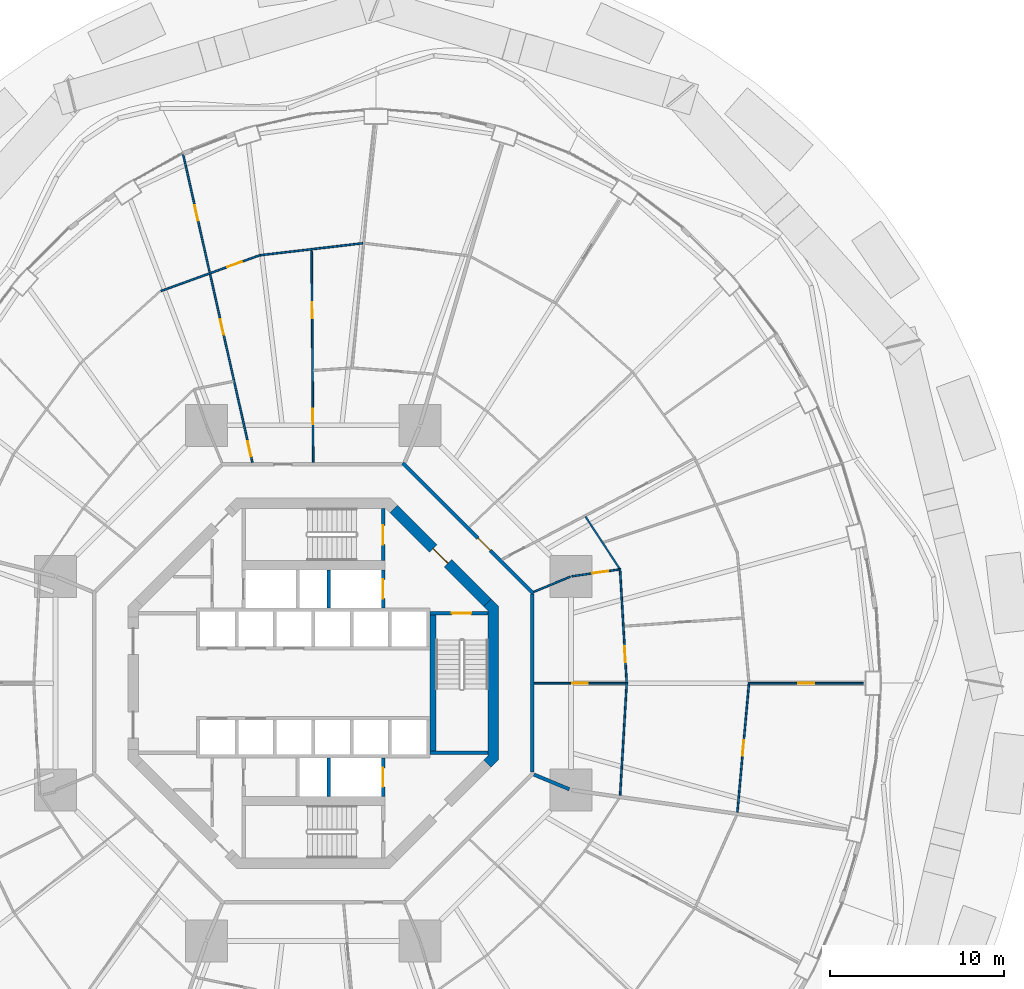
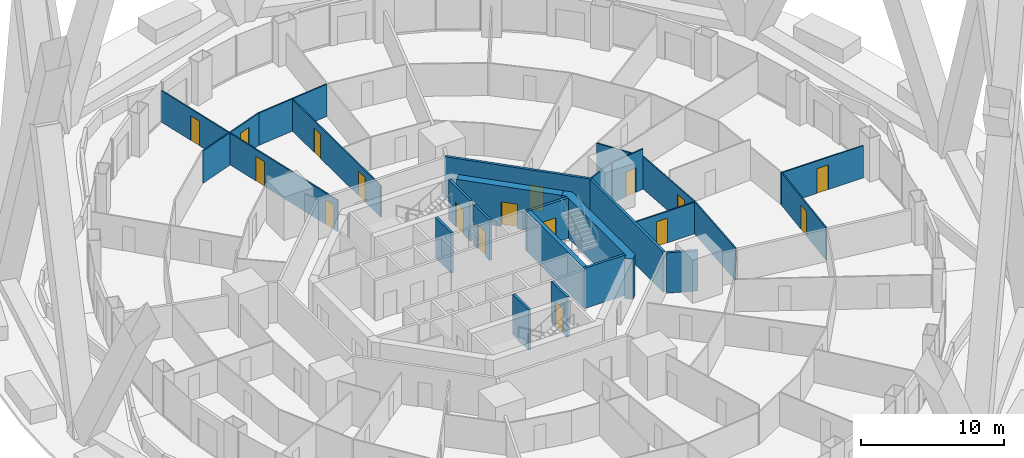
# One storey, part 38 of 42: 25 walls, 17 doors, 17 openings.
"""IFC4 building model written with IfcOpenShell, lengths in metres."""

from ifc_helpers import new_model, si_unit, direction, frame, frame_2d, origin, place, context, subcontext, project, spatial, polyline, rectangle, outline, extrude, material, layer, layer_set, type_object, element, fill, save


model = new_model("IFC4")

# Units and contexts
model_context = context("Model", 3, precision=1e-05, world=origin(), true_north=direction((0.0, 1.0)))
body_context = subcontext(model_context, "Body", "Model", "MODEL_VIEW")
ifc_project = project(units=[si_unit("LENGTHUNIT", "METRE"), si_unit("AREAUNIT", "SQUARE_METRE"), si_unit("VOLUMEUNIT", "CUBIC_METRE"), si_unit("PLANEANGLEUNIT", "RADIAN"), si_unit("MASSUNIT", "GRAM", prefix="KILO")], contexts=[model_context])

# Site, building, storey
site_placement = place(None, origin())
site = spatial("IfcSite", under=ifc_project, at=site_placement, CompositionType="ELEMENT")
building_placement = place(site_placement, origin())
building = spatial("IfcBuilding", under=site, at=building_placement, Name="Nagisa Residences", CompositionType="ELEMENT")
storey_placement = place(building_placement, frame((0.0, 0.0, 27.0)))
storey = spatial("IfcBuildingStorey", under=building, at=storey_placement, Name="L05", CompositionType="ELEMENT", Elevation=27.0)

# Walls
ifc_material_1 = material(Name="Gypsum board on steel studs", Category="steel")
ifc_layer_1 = layer(ifc_material_1, 0.199951171875)
ifc_layer_set_1 = layer_set([ifc_layer_1], Name="Apartment compartment wall EI60 200")
wall_type_1 = type_object("IfcWallType", Name="Apartment compartment wall EI60 200", PredefinedType="PARTITIONING", material=ifc_layer_set_1)
wall_1_placement = place(storey_placement, frame((12.6572265625, -5.24267578125, 0.0), z_axis=(0.0, 0.0, 1.0), x_axis=(0.923853160736, -0.382747093259, 0.0)))
element("IfcWall", 1, at=wall_1_placement, inside=storey, type_object=wall_type_1, Name="wall:L05:u06", PredefinedType="PARTITIONING", context=body_context, shape_type="SweptSolid", body=[
    extrude(rectangle(XDim=2.199951171875, YDim=0.199951171875, at=frame_2d((1.10009765625, 0.0))), origin(), (0.0, 0.0, 1.0), 3.43994140625),
])
ifc_material_2 = material(Name="Gypsum board on steel studs", Category="steel")
ifc_layer_2 = layer(ifc_material_2, 0.199951171875)
ifc_layer_set_2 = layer_set([ifc_layer_2], Name="Apartment entry wall EI60 200")
wall_type_2 = type_object("IfcWallType", Name="Apartment entry wall EI60 200", PredefinedType="PARTITIONING", material=ifc_layer_set_2)
wall_2_placement = place(storey_placement, frame((12.564697265625, -5.1044921875, 0.0), z_axis=(0.0, 0.0, 1.0), x_axis=(0.0, 1.0, 0.0)))
element("IfcWall", 2, at=wall_2_placement, inside=storey, type_object=wall_type_2, Name="wall:L05:u08", PredefinedType="PARTITIONING", context=body_context, shape_type="SweptSolid", body=[
    extrude(rectangle(XDim=10.208984375, YDim=0.199951171875, at=frame_2d((5.1044921875, 0.0))), origin(), (0.0, 0.0, 1.0), 3.43994140625),
])

# Wall, opening, door
wall_3_placement = place(storey_placement, frame((12.635498046875, 5.1337890625, 0.0), z_axis=(0.0, 0.0, 1.0), x_axis=(-0.707106781187, 0.707106781187, 0.0)))
wall_3 = element("IfcWall", 3, at=wall_3_placement, inside=storey, type_object=wall_type_2, Name="wall:L05:u09", PredefinedType="PARTITIONING", context=body_context, shape_type="SweptSolid", body=[
    extrude(rectangle(XDim=10.609130859375, YDim=0.199951171875, at=frame_2d((5.3046875, 0.0))), origin(), (0.0, 0.0, 1.0), 3.43994140625),
])
opening_1_placement = place(wall_3_placement, frame((3.50341796875, 0.0, 0.0)))
opening_1 = element("IfcOpeningElement", 4, at=opening_1_placement, cuts=wall_3, Name="Opening L05-U01", PredefinedType="OPENING", context=body_context, shape_type="SweptSolid", body=[
    extrude(rectangle(XDim=1.0, YDim=2.10009765625, at=frame_2d((0.5, 1.050048828125))), frame((0.0, 0.10986328125, 0.0), z_axis=(0.0, -1.0, 0.0), x_axis=(1.0, 0.0, 0.0)), (0.0, 0.0, 1.0), 0.219970703125),
])
ifc_material_3 = material(Name="Timber fire door set", Category="wood")
door_type_1 = type_object("IfcDoorType", Name="Apartment entry door FD30S 1000x2100", OperationType="NOTDEFINED", PredefinedType="DOOR", material=ifc_material_3)
door_1_placement = place(opening_1_placement, frame((1.0, 0.0, 0.0), x_axis=(-1.0, 0.0, 0.0)))
door_1 = element("IfcDoor", 5, at=door_1_placement, inside=storey, type_object=door_type_1, Name="Entry door, Apartment 05A", OperationType="SINGLE_SWING_RIGHT", OverallHeight=2.10009765625, OverallWidth=1.0, PredefinedType="DOOR", context=body_context, shape_type="SweptSolid", body=[
    extrude(rectangle(XDim=1.0, YDim=2.10009765625, at=frame_2d((0.5, 1.050048828125))), frame((0.0, 0.02490234375, 0.0), z_axis=(0.0, -1.0, 0.0), x_axis=(1.0, 0.0, 0.0)), (0.0, 0.0, 1.0), 0.050048828125),
])
fill(opening_1, door_1)

ifc_material_4 = material(Name="Gypsum board on steel studs", Category="steel")
ifc_layer_3 = layer(ifc_material_4, 0.10009765625)
ifc_layer_set_3 = layer_set([ifc_layer_3], Name="Apartment partition 100")
wall_type_3 = type_object("IfcWallType", Name="Apartment partition 100", PredefinedType="PARTITIONING", material=ifc_layer_set_3)
wall_4_placement = place(storey_placement, frame((12.664794921875, 0.0, 0.0), z_axis=(0.0, 0.0, 1.0), x_axis=(1.0, 0.0, 0.0)))
wall_4 = element("IfcWall", 6, at=wall_4_placement, inside=storey, type_object=wall_type_3, Name="wall:L05:u16", PredefinedType="PARTITIONING", context=body_context, shape_type="SweptSolid", body=[
    extrude(rectangle(XDim=5.259521484375, YDim=0.10009765625, at=frame_2d((2.6298828125, 0.0))), origin(), (0.0, 0.0, 1.0), 2.68701171875),
])
opening_2_placement = place(wall_4_placement, frame((2.1796875, 0.0, 0.0)))
opening_2 = element("IfcOpeningElement", 7, at=opening_2_placement, cuts=wall_4, Name="Opening L05-U14", PredefinedType="OPENING", context=body_context, shape_type="SweptSolid", body=[
    extrude(rectangle(XDim=0.89990234375, YDim=2.10009765625, at=frame_2d((0.449951171875, 1.050048828125))), frame((0.0, 0.06005859375, 0.0), z_axis=(0.0, -1.0, 0.0), x_axis=(1.0, 0.0, 0.0)), (0.0, 0.0, 1.0), 0.1201171875),
])
ifc_material_5 = material(Name="Timber door set", Category="wood")
door_type_2 = type_object("IfcDoorType", Name="Apartment door 900x2100", OperationType="NOTDEFINED", PredefinedType="DOOR", material=ifc_material_5)
door_2_placement = place(opening_2_placement, frame((0.89990234375, 0.0, 0.0), x_axis=(-1.0, 0.0, 0.0)))
door_2 = element("IfcDoor", 8, at=door_2_placement, inside=storey, type_object=door_type_2, Name="Door to store, Apartment 05A", OperationType="SINGLE_SWING_LEFT", OverallHeight=2.10009765625, OverallWidth=0.89990234375, PredefinedType="DOOR", context=body_context, shape_type="SweptSolid", body=[
    extrude(rectangle(XDim=0.89990234375, YDim=2.10009765625, at=frame_2d((0.449951171875, 1.050048828125))), frame((0.0, 0.02490234375, 0.0), z_axis=(0.0, -1.0, 0.0), x_axis=(1.0, 0.0, 0.0)), (0.0, 0.0, 1.0), 0.050048828125),
])
fill(opening_2, door_2)

wall_5_placement = place(storey_placement, frame((17.971435546875, 0.0498046875, 0.0), z_axis=(0.0, 0.0, 1.0), x_axis=(-0.058476853647, 0.998288764631, 0.0)))
wall_5 = element("IfcWall", 9, at=wall_5_placement, inside=storey, type_object=wall_type_3, Name="wall:L05:u17", PredefinedType="PARTITIONING", context=body_context, shape_type="SweptSolid", body=[
    extrude(rectangle(XDim=6.5380859375, YDim=0.10009765625, at=frame_2d((3.26904296875, 0.0))), origin(), (0.0, 0.0, 1.0), 2.756103515625),
])
opening_3_placement = place(wall_5_placement, frame((1.159423828125, 0.0, 0.0)))
opening_3 = element("IfcOpeningElement", 10, at=opening_3_placement, cuts=wall_5, Name="Opening L05-U10", PredefinedType="OPENING", context=body_context, shape_type="SweptSolid", body=[
    extrude(rectangle(XDim=0.89990234375, YDim=2.10009765625, at=frame_2d((0.449951171875, 1.050048828125))), frame((0.0, 0.06005859375, 0.0), z_axis=(0.0, -1.0, 0.0), x_axis=(1.0, 0.0, 0.0)), (0.0, 0.0, 1.0), 0.1201171875),
])
door_3_placement = place(opening_3_placement, frame((0.89990234375, 0.0, 0.0), x_axis=(-1.0, 0.0, 0.0)))
door_3 = element("IfcDoor", 11, at=door_3_placement, inside=storey, type_object=door_type_2, Name="Door to dining room, Apartment 05A", OperationType="SINGLE_SWING_LEFT", OverallHeight=2.10009765625, OverallWidth=0.89990234375, PredefinedType="DOOR", context=body_context, shape_type="SweptSolid", body=[
    extrude(rectangle(XDim=0.89990234375, YDim=2.10009765625, at=frame_2d((0.449951171875, 1.050048828125))), frame((0.0, 0.02490234375, 0.0), z_axis=(0.0, -1.0, 0.0), x_axis=(1.0, 0.0, 0.0)), (0.0, 0.0, 1.0), 0.050048828125),
])
fill(opening_3, door_3)

# Wall
wall_6_placement = place(storey_placement, frame((17.977294921875, 0.0498046875, 0.0), z_axis=(0.0, 0.0, 1.0), x_axis=(-0.058516864568, -0.998286420103, 0.0)))
element("IfcWall", 12, at=wall_6_placement, inside=storey, type_object=wall_type_3, Name="wall:L05:u18", PredefinedType="PARTITIONING", context=body_context, shape_type="SweptSolid", body=[
    extrude(rectangle(XDim=6.48779296875, YDim=0.10009765625, at=frame_2d((3.243896484375, 0.0))), origin(), (0.0, 0.0, 1.0), 2.756103515625),
])

# Wall, opening, door
wall_7_placement = place(storey_placement, frame((24.9365234375, 0.0, 0.0), z_axis=(0.0, 0.0, 1.0), x_axis=(1.0, 0.0, 0.0)))
wall_7 = element("IfcWall", 13, at=wall_7_placement, inside=storey, type_object=wall_type_3, Name="wall:L05:u19", PredefinedType="PARTITIONING", context=body_context, shape_type="SweptSolid", body=[
    extrude(rectangle(XDim=6.613525390625, YDim=0.10009765625, at=frame_2d((3.306640625, 0.0))), origin(), (0.0, 0.0, 1.0), 2.756103515625),
])
opening_4_placement = place(wall_7_placement, frame((2.881591796875, 0.0, 0.0)))
opening_4 = element("IfcOpeningElement", 14, at=opening_4_placement, cuts=wall_7, Name="Opening L05-U13", PredefinedType="OPENING", context=body_context, shape_type="SweptSolid", body=[
    extrude(rectangle(XDim=0.89990234375, YDim=2.10009765625, at=frame_2d((0.449951171875, 1.050048828125))), frame((0.0, 0.06005859375, 0.0), z_axis=(0.0, -1.0, 0.0), x_axis=(1.0, 0.0, 0.0)), (0.0, 0.0, 1.0), 0.1201171875),
])
door_4_placement = place(opening_4_placement, origin())
door_4 = element("IfcDoor", 15, at=door_4_placement, inside=storey, type_object=door_type_2, Name="Door to family room, Apartment 05A", OperationType="SINGLE_SWING_LEFT", OverallHeight=2.10009765625, OverallWidth=0.89990234375, PredefinedType="DOOR", context=body_context, shape_type="SweptSolid", body=[
    extrude(rectangle(XDim=0.89990234375, YDim=2.10009765625, at=frame_2d((0.449951171875, 1.050048828125))), frame((0.0, 0.02490234375, 0.0), z_axis=(0.0, -1.0, 0.0), x_axis=(1.0, 0.0, 0.0)), (0.0, 0.0, 1.0), 0.050048828125),
])
fill(opening_4, door_4)

wall_8_placement = place(storey_placement, frame((24.982177734375, -0.0498046875, 0.0), z_axis=(0.0, 0.0, 1.0), x_axis=(-0.08944290521, -0.995991951126, 0.0)))
wall_8 = element("IfcWall", 16, at=wall_8_placement, inside=storey, type_object=wall_type_3, Name="wall:L05:u21", PredefinedType="PARTITIONING", context=body_context, shape_type="SweptSolid", body=[
    extrude(rectangle(XDim=7.37255859375, YDim=0.10009765625, at=frame_2d((3.686279296875, 0.0))), origin(), (0.0, 0.0, 1.0), 2.756103515625),
])
opening_5_placement = place(wall_8_placement, frame((3.236328125, 0.0, 0.0)))
opening_5 = element("IfcOpeningElement", 17, at=opening_5_placement, cuts=wall_8, Name="Opening L05-U12", PredefinedType="OPENING", context=body_context, shape_type="SweptSolid", body=[
    extrude(rectangle(XDim=0.89990234375, YDim=2.10009765625, at=frame_2d((0.449951171875, 1.050048828125))), frame((0.0, 0.06005859375, 0.0), z_axis=(0.0, -1.0, 0.0), x_axis=(1.0, 0.0, 0.0)), (0.0, 0.0, 1.0), 0.1201171875),
])
door_5_placement = place(opening_5_placement, origin())
door_5 = element("IfcDoor", 18, at=door_5_placement, inside=storey, type_object=door_type_2, Name="Door to living room, Apartment 05A", OperationType="SINGLE_SWING_RIGHT", OverallHeight=2.10009765625, OverallWidth=0.89990234375, PredefinedType="DOOR", context=body_context, shape_type="SweptSolid", body=[
    extrude(rectangle(XDim=0.89990234375, YDim=2.10009765625, at=frame_2d((0.449951171875, 1.050048828125))), frame((0.0, 0.02490234375, 0.0), z_axis=(0.0, -1.0, 0.0), x_axis=(1.0, 0.0, 0.0)), (0.0, 0.0, 1.0), 0.050048828125),
])
fill(opening_5, door_5)

# Wall
wall_9_placement = place(storey_placement, frame((12.6572265625, 5.24267578125, 0.0), z_axis=(0.0, 0.0, 1.0), x_axis=(0.923864733477, 0.382719158442, 0.0)))
element("IfcWall", 19, at=wall_9_placement, inside=storey, type_object=wall_type_3, Name="wall:L05:u23", PredefinedType="PARTITIONING", context=body_context, shape_type="SweptSolid", body=[
    extrude(rectangle(XDim=2.25, YDim=0.10009765625, at=frame_2d((1.125, 0.0))), origin(), (0.0, 0.0, 1.0), 3.43994140625),
])

# Wall, opening, door
wall_10_placement = place(storey_placement, frame((14.83154296875, 6.130126953125, 0.0), z_axis=(0.0, 0.0, 1.0), x_axis=(0.989840446863, 0.142182593007, 0.0)))
wall_10 = element("IfcWall", 20, at=wall_10_placement, inside=storey, type_object=wall_type_3, Name="wall:L05:u24", PredefinedType="PARTITIONING", context=body_context, shape_type="SweptSolid", body=[
    extrude(rectangle(XDim=2.73876953125, YDim=0.10009765625, at=frame_2d((1.369384765625, 0.0))), origin(), (0.0, 0.0, 1.0), 3.43994140625),
])
opening_6_placement = place(wall_10_placement, frame((1.197021484375, 0.0, 0.0)))
opening_6 = element("IfcOpeningElement", 21, at=opening_6_placement, cuts=wall_10, Name="Opening L05-U09", PredefinedType="OPENING", context=body_context, shape_type="SweptSolid", body=[
    extrude(rectangle(XDim=0.89990234375, YDim=2.10009765625, at=frame_2d((0.449951171875, 1.050048828125))), frame((0.0, 0.06005859375, 0.0), z_axis=(0.0, -1.0, 0.0), x_axis=(1.0, 0.0, 0.0)), (0.0, 0.0, 1.0), 0.1201171875),
])
door_6_placement = place(opening_6_placement, frame((0.89990234375, 0.0, 0.0), x_axis=(-1.0, 0.0, 0.0)))
door_6 = element("IfcDoor", 22, at=door_6_placement, inside=storey, type_object=door_type_2, Name="Door to laundry, Apartment 05A", OperationType="SINGLE_SWING_RIGHT", OverallHeight=2.10009765625, OverallWidth=0.89990234375, PredefinedType="DOOR", context=body_context, shape_type="SweptSolid", body=[
    extrude(rectangle(XDim=0.89990234375, YDim=2.10009765625, at=frame_2d((0.449951171875, 1.050048828125))), frame((0.0, 0.02490234375, 0.0), z_axis=(0.0, -1.0, 0.0), x_axis=(1.0, 0.0, 0.0)), (0.0, 0.0, 1.0), 0.050048828125),
])
fill(opening_6, door_6)

# Walls
wall_11_placement = place(storey_placement, frame((17.564453125, 6.568603515625, 0.0), z_axis=(0.0, 0.0, 1.0), x_axis=(-0.547641765292, 0.836712911881, 0.0)))
element("IfcWall", 23, at=wall_11_placement, inside=storey, type_object=wall_type_3, Name="wall:L05:u25", PredefinedType="PARTITIONING", context=body_context, shape_type="SweptSolid", body=[
    extrude(rectangle(XDim=3.570068359375, YDim=0.10009765625, at=frame_2d((1.78515625, 0.0))), origin(), (0.0, 0.0, 1.0), 2.756103515625),
])
wall_12_placement = place(storey_placement, frame((2.841552734375, 25.228759765625, 0.0), z_axis=(0.0, 0.0, 1.0), x_axis=(-0.993255612046, -0.115945198862, 0.0)))
element("IfcWall", 24, at=wall_12_placement, inside=storey, type_object=wall_type_3, Name="wall:L05:u41", PredefinedType="PARTITIONING", context=body_context, shape_type="SweptSolid", body=[
    extrude(rectangle(XDim=5.91259765625, YDim=0.10009765625, at=frame_2d((2.956298828125, 0.0))), origin(), (0.0, 0.0, 1.0), 2.756103515625),
])

# Wall, openings, doors
wall_13_placement = place(storey_placement, frame((-0.000732421875, 12.664794921875, 0.0), z_axis=(0.0, 0.0, 1.0), x_axis=(-0.007702417287, 0.999970335944, 0.0)))
wall_13 = element("IfcWall", 25, at=wall_13_placement, inside=storey, type_object=wall_type_3, Name="wall:L05:u42", PredefinedType="PARTITIONING", context=body_context, shape_type="SweptSolid", body=[
    extrude(rectangle(XDim=12.17138671875, YDim=0.10009765625, at=frame_2d((6.085693359375, 0.0))), origin(), (0.0, 0.0, 1.0), 2.68701171875),
])
opening_7_placement = place(wall_13_placement, frame((2.182861328125, 0.0, 0.0)))
opening_7 = element("IfcOpeningElement", 26, at=opening_7_placement, cuts=wall_13, Name="Opening L05-U16", PredefinedType="OPENING", context=body_context, shape_type="SweptSolid", body=[
    extrude(rectangle(XDim=0.89990234375, YDim=2.10009765625, at=frame_2d((0.449951171875, 1.050048828125))), frame((0.0, 0.06005859375, 0.0), z_axis=(0.0, -1.0, 0.0), x_axis=(1.0, 0.0, 0.0)), (0.0, 0.0, 1.0), 0.1201171875),
])
opening_8_placement = place(wall_13_placement, frame((8.268798828125, 0.0, 0.0)))
opening_8 = element("IfcOpeningElement", 27, at=opening_8_placement, cuts=wall_13, Name="Opening L05-U19", PredefinedType="OPENING", context=body_context, shape_type="SweptSolid", body=[
    extrude(rectangle(XDim=0.89990234375, YDim=2.10009765625, at=frame_2d((0.449951171875, 1.050048828125))), frame((0.0, 0.06005859375, 0.0), z_axis=(0.0, -1.0, 0.0), x_axis=(1.0, 0.0, 0.0)), (0.0, 0.0, 1.0), 0.1201171875),
])
door_7_placement = place(opening_7_placement, frame((0.89990234375, 0.0, 0.0), x_axis=(-1.0, 0.0, 0.0)))
door_7 = element("IfcDoor", 28, at=door_7_placement, inside=storey, type_object=door_type_2, Name="Door to store, Apartment 05B", OperationType="SINGLE_SWING_LEFT", OverallHeight=2.10009765625, OverallWidth=0.89990234375, PredefinedType="DOOR", context=body_context, shape_type="SweptSolid", body=[
    extrude(rectangle(XDim=0.89990234375, YDim=2.10009765625, at=frame_2d((0.449951171875, 1.050048828125))), frame((0.0, 0.02490234375, 0.0), z_axis=(0.0, -1.0, 0.0), x_axis=(1.0, 0.0, 0.0)), (0.0, 0.0, 1.0), 0.050048828125),
])
fill(opening_7, door_7)
door_8_placement = place(opening_8_placement, frame((0.89990234375, 0.0, 0.0), x_axis=(-1.0, 0.0, 0.0)))
door_8 = element("IfcDoor", 29, at=door_8_placement, inside=storey, type_object=door_type_2, Name="Door to family bathroom, Apartment 05B", OperationType="SINGLE_SWING_RIGHT", OverallHeight=2.10009765625, OverallWidth=0.89990234375, PredefinedType="DOOR", context=body_context, shape_type="SweptSolid", body=[
    extrude(rectangle(XDim=0.89990234375, YDim=2.10009765625, at=frame_2d((0.449951171875, 1.050048828125))), frame((0.0, 0.02490234375, 0.0), z_axis=(0.0, -1.0, 0.0), x_axis=(1.0, 0.0, 0.0)), (0.0, 0.0, 1.0), 0.050048828125),
])
fill(opening_8, door_8)

# Wall, opening, door
wall_14_placement = place(storey_placement, frame((-3.03369140625, 24.554443359375, 0.0), z_axis=(0.0, 0.0, 1.0), x_axis=(-0.940401691072, -0.340065669288, 0.0)))
wall_14 = element("IfcWall", 30, at=wall_14_placement, inside=storey, type_object=wall_type_3, Name="wall:L05:u43", PredefinedType="PARTITIONING", context=body_context, shape_type="SweptSolid", body=[
    extrude(rectangle(XDim=6.067138671875, YDim=0.10009765625, at=frame_2d((3.03369140625, 0.0))), origin(), (0.0, 0.0, 1.0), 2.756103515625),
])
opening_9_placement = place(wall_14_placement, frame((1.11669921875, 0.0, 0.0)))
opening_9 = element("IfcOpeningElement", 31, at=opening_9_placement, cuts=wall_14, Name="Opening L05-U23", PredefinedType="OPENING", context=body_context, shape_type="SweptSolid", body=[
    extrude(rectangle(XDim=0.89990234375, YDim=2.10009765625, at=frame_2d((0.449951171875, 1.050048828125))), frame((0.0, 0.06005859375, 0.0), z_axis=(0.0, -1.0, 0.0), x_axis=(1.0, 0.0, 0.0)), (0.0, 0.0, 1.0), 0.1201171875),
])
door_9_placement = place(opening_9_placement, frame((0.89990234375, 0.0, 0.0), x_axis=(-1.0, 0.0, 0.0)))
door_9 = element("IfcDoor", 32, at=door_9_placement, inside=storey, type_object=door_type_2, Name="Door to living room, Apartment 05B", OperationType="SINGLE_SWING_RIGHT", OverallHeight=2.10009765625, OverallWidth=0.89990234375, PredefinedType="DOOR", context=body_context, shape_type="SweptSolid", body=[
    extrude(rectangle(XDim=0.89990234375, YDim=2.10009765625, at=frame_2d((0.449951171875, 1.050048828125))), frame((0.0, 0.02490234375, 0.0), z_axis=(0.0, -1.0, 0.0), x_axis=(1.0, 0.0, 0.0)), (0.0, 0.0, 1.0), 0.050048828125),
])
fill(opening_9, door_9)

# Wall, openings, doors
wall_15_placement = place(storey_placement, frame((-3.49169921875, 12.662353515625, 0.0), z_axis=(0.0, 0.0, 1.0), x_axis=(-0.219268088006, 0.975664648115, 0.0)))
wall_15 = element("IfcWall", 33, at=wall_15_placement, inside=storey, type_object=wall_type_3, Name="wall:L05:u44", PredefinedType="PARTITIONING", context=body_context, shape_type="SweptSolid", body=[
    extrude(rectangle(XDim=18.230224609375, YDim=0.10009765625, at=frame_2d((9.115234375, 0.0))), origin(), (0.0, 0.0, 1.0), 2.68701171875),
])
opening_10_placement = place(wall_15_placement, frame((0.35009765625, 0.0, 0.0)))
opening_10 = element("IfcOpeningElement", 34, at=opening_10_placement, cuts=wall_15, Name="Opening L05-U17", PredefinedType="OPENING", context=body_context, shape_type="SweptSolid", body=[
    extrude(rectangle(XDim=0.89990234375, YDim=2.10009765625, at=frame_2d((0.449951171875, 1.050048828125))), frame((0.0, 0.06005859375, 0.0), z_axis=(0.0, -1.0, 0.0), x_axis=(1.0, 0.0, 0.0)), (0.0, 0.0, 1.0), 0.1201171875),
])
opening_11_placement = place(wall_15_placement, frame((7.49658203125, 0.0, 0.0)))
opening_11 = element("IfcOpeningElement", 35, at=opening_11_placement, cuts=wall_15, Name="Opening L05-U20", PredefinedType="OPENING", context=body_context, shape_type="SweptSolid", body=[
    extrude(rectangle(XDim=0.89990234375, YDim=2.10009765625, at=frame_2d((0.449951171875, 1.050048828125))), frame((0.0, 0.06005859375, 0.0), z_axis=(0.0, -1.0, 0.0), x_axis=(1.0, 0.0, 0.0)), (0.0, 0.0, 1.0), 0.1201171875),
])
opening_12_placement = place(wall_15_placement, frame((14.22265625, 0.0, 0.0)))
opening_12 = element("IfcOpeningElement", 36, at=opening_12_placement, cuts=wall_15, Name="Opening L05-U24", PredefinedType="OPENING", context=body_context, shape_type="SweptSolid", body=[
    extrude(rectangle(XDim=0.89990234375, YDim=2.10009765625, at=frame_2d((0.449951171875, 1.050048828125))), frame((0.0, 0.06005859375, 0.0), z_axis=(0.0, -1.0, 0.0), x_axis=(1.0, 0.0, 0.0)), (0.0, 0.0, 1.0), 0.1201171875),
])
door_10_placement = place(opening_10_placement, origin())
door_10 = element("IfcDoor", 37, at=door_10_placement, inside=storey, type_object=door_type_2, Name="Door to family bathroom, Apartment 05B", OperationType="SINGLE_SWING_LEFT", OverallHeight=2.10009765625, OverallWidth=0.89990234375, PredefinedType="DOOR", context=body_context, shape_type="SweptSolid", body=[
    extrude(rectangle(XDim=0.89990234375, YDim=2.10009765625, at=frame_2d((0.449951171875, 1.050048828125))), frame((0.0, 0.02490234375, 0.0), z_axis=(0.0, -1.0, 0.0), x_axis=(1.0, 0.0, 0.0)), (0.0, 0.0, 1.0), 0.050048828125),
])
fill(opening_10, door_10)
door_11_placement = place(opening_11_placement, origin())
door_11 = element("IfcDoor", 38, at=door_11_placement, inside=storey, type_object=door_type_2, Name="Door to dining room, Apartment 05B", OperationType="SINGLE_SWING_RIGHT", OverallHeight=2.10009765625, OverallWidth=0.89990234375, PredefinedType="DOOR", context=body_context, shape_type="SweptSolid", body=[
    extrude(rectangle(XDim=0.89990234375, YDim=2.10009765625, at=frame_2d((0.449951171875, 1.050048828125))), frame((0.0, 0.02490234375, 0.0), z_axis=(0.0, -1.0, 0.0), x_axis=(1.0, 0.0, 0.0)), (0.0, 0.0, 1.0), 0.050048828125),
])
fill(opening_11, door_11)
door_12_placement = place(opening_12_placement, origin())
door_12 = element("IfcDoor", 39, at=door_12_placement, inside=storey, type_object=door_type_2, Name="Door to family room, Apartment 05B", OperationType="SINGLE_SWING_RIGHT", OverallHeight=2.10009765625, OverallWidth=0.89990234375, PredefinedType="DOOR", context=body_context, shape_type="SweptSolid", body=[
    extrude(rectangle(XDim=0.89990234375, YDim=2.10009765625, at=frame_2d((0.449951171875, 1.050048828125))), frame((0.0, 0.02490234375, 0.0), z_axis=(0.0, -1.0, 0.0), x_axis=(1.0, 0.0, 0.0)), (0.0, 0.0, 1.0), 0.050048828125),
])
fill(opening_12, door_12)

# Wall, opening, door
ifc_material_6 = material(Name="Concrete C60", Category="concrete")
ifc_layer_4 = layer(ifc_material_6, 0.60009765625)
ifc_layer_set_4 = layer_set([ifc_layer_4], Name="Core shear wall 600")
wall_type_4 = type_object("IfcWallType", Name="Core shear wall 600", PredefinedType="SHEAR", material=ifc_layer_set_4)
wall_16_placement = place(storey_placement, frame((9.98828125, 4.613037109375, 0.0), z_axis=(0.0, 0.0, 1.0), x_axis=(-0.707106781187, 0.707106781187, 0.0)))
wall_16 = element("IfcWall", 40, at=wall_16_placement, inside=storey, type_object=wall_type_4, Name="wall:L05:core:flat1", PredefinedType="SHEAR", context=body_context, shape_type="SweptSolid", body=[
    extrude(rectangle(XDim=7.601806640625, YDim=0.60009765625, at=frame_2d((3.80078125, 0.0))), origin(), (0.0, 0.0, 1.0), 3.43994140625),
])
opening_13_placement = place(wall_16_placement, frame((3.200927734375, 0.0, 0.0)))
opening_13 = element("IfcOpeningElement", 41, at=opening_13_placement, cuts=wall_16, Name="Opening L05-C17", PredefinedType="OPENING", context=body_context, shape_type="SweptSolid", body=[
    extrude(rectangle(XDim=1.199951171875, YDim=2.10009765625, at=frame_2d((0.60009765625, 1.050048828125))), frame((0.0, 0.31005859375, 0.0), z_axis=(0.0, -1.0, 0.0), x_axis=(1.0, 0.0, 0.0)), (0.0, 0.0, 1.0), 0.6201171875),
])
ifc_material_7 = material(Name="Steel fire door", Category="steel")
door_type_3 = type_object("IfcDoorType", Name="Fire door EI60 1200x2100 single swing", OperationType="NOTDEFINED", PredefinedType="DOOR", material=ifc_material_7)
door_13_placement = place(opening_13_placement, origin())
door_13 = element("IfcDoor", 42, at=door_13_placement, inside=storey, type_object=door_type_3, Name="Firefighting lobby 1 door L05", OperationType="SINGLE_SWING_LEFT", OverallHeight=2.10009765625, OverallWidth=1.199951171875, PredefinedType="DOOR", context=body_context, shape_type="SweptSolid", body=[
    extrude(rectangle(XDim=1.199951171875, YDim=2.10009765625, at=frame_2d((0.60009765625, 1.050048828125))), frame((0.0, 0.02490234375, 0.0), z_axis=(0.0, -1.0, 0.0), x_axis=(1.0, 0.0, 0.0)), (0.0, 0.0, 1.0), 0.050048828125),
])
fill(opening_13, door_13)

# Wall
wall_17_placement = place(storey_placement, origin())
element("IfcWall", 43, at=wall_17_placement, inside=storey, type_object=wall_type_4, Name="wall:L05:core:flat0", PredefinedType="SHEAR", context=body_context, shape_type="SweptSolid", body=[
    extrude(outline(polyline([(9.776123046875, -4.40087890625), (10.024658203125, -4.15234375), (10.024658203125, -3.801025390625), (10.024658203125, 4.15234375), (9.776123046875, 4.40087890625), (10.200439453125, 4.8251953125), (10.62451171875, 4.40087890625), (10.62451171875, -4.40087890625), (10.200439453125, -4.8251953125), (9.776123046875, -4.40087890625)])), origin(), (0.0, 0.0, 1.0), 3.43994140625),
])

# Wall, opening, door
ifc_material_8 = material(Name="Concrete C60", Category="concrete")
ifc_layer_5 = layer(ifc_material_8, 0.199951171875)
ifc_layer_set_5 = layer_set([ifc_layer_5], Name="Lift shaft wall 200")
wall_type_5 = type_object("IfcWallType", Name="Lift shaft wall 200", PredefinedType="SOLIDWALL", material=ifc_layer_set_5)
wall_18_placement = place(storey_placement, frame((4.0, 4.300048828125, 0.0), z_axis=(0.0, 0.0, 1.0), x_axis=(0.0, 1.0, 0.0)))
wall_18 = element("IfcWall", 44, at=wall_18_placement, inside=storey, type_object=wall_type_5, Name="wall:L05:Nb3", PredefinedType="SOLIDWALL", context=body_context, shape_type="SweptSolid", body=[
    extrude(rectangle(XDim=2.199951171875, YDim=0.199951171875, at=frame_2d((1.10009765625, 0.0))), origin(), (0.0, 0.0, 1.0), 3.43994140625),
])
opening_14_placement = place(wall_18_placement, frame((0.550048828125, 0.0, 0.0)))
opening_14 = element("IfcOpeningElement", 45, at=opening_14_placement, cuts=wall_18, Name="Opening L05-C06", PredefinedType="OPENING", context=body_context, shape_type="SweptSolid", body=[
    extrude(rectangle(XDim=1.10009765625, YDim=2.10009765625, at=frame_2d((0.550048828125, 1.050048828125))), frame((0.0, 0.10986328125, 0.0), z_axis=(0.0, -1.0, 0.0), x_axis=(1.0, 0.0, 0.0)), (0.0, 0.0, 1.0), 0.219970703125),
])
ifc_material_9 = material(Name="Stainless steel", Category="steel")
door_type_4 = type_object("IfcDoorType", Name="Lift landing door 1100x2100", OperationType="DOUBLE_DOOR_SLIDING", PredefinedType="DOOR", material=ifc_material_9)
door_14_placement = place(opening_14_placement, origin())
door_14 = element("IfcDoor", 46, at=door_14_placement, inside=storey, type_object=door_type_4, Name="Landing door FL1 L05", OperationType="DOUBLE_DOOR_SLIDING", OverallHeight=2.10009765625, OverallWidth=1.10009765625, PredefinedType="DOOR", context=body_context, shape_type="SweptSolid", body=[
    extrude(rectangle(XDim=1.10009765625, YDim=2.10009765625, at=frame_2d((0.550048828125, 1.050048828125))), frame((0.0, 0.02490234375, 0.0), z_axis=(0.0, -1.0, 0.0), x_axis=(1.0, 0.0, 0.0)), (0.0, 0.0, 1.0), 0.050048828125),
])
fill(opening_14, door_14)

wall_19_placement = place(storey_placement, frame((4.0, -6.5, 0.0), z_axis=(0.0, 0.0, 1.0), x_axis=(0.0, 1.0, 0.0)))
wall_19 = element("IfcWall", 47, at=wall_19_placement, inside=storey, type_object=wall_type_5, Name="wall:L05:Sb3", PredefinedType="SOLIDWALL", context=body_context, shape_type="SweptSolid", body=[
    extrude(rectangle(XDim=2.199951171875, YDim=0.199951171875, at=frame_2d((1.10009765625, 0.0))), origin(), (0.0, 0.0, 1.0), 3.43994140625),
])
opening_15_placement = place(wall_19_placement, frame((0.550048828125, 0.0, 0.0)))
opening_15 = element("IfcOpeningElement", 48, at=opening_15_placement, cuts=wall_19, Name="Opening L05-C07", PredefinedType="OPENING", context=body_context, shape_type="SweptSolid", body=[
    extrude(rectangle(XDim=1.10009765625, YDim=2.10009765625, at=frame_2d((0.550048828125, 1.050048828125))), frame((0.0, 0.10986328125, 0.0), z_axis=(0.0, -1.0, 0.0), x_axis=(1.0, 0.0, 0.0)), (0.0, 0.0, 1.0), 0.219970703125),
])
door_15_placement = place(opening_15_placement, origin())
door_15 = element("IfcDoor", 49, at=door_15_placement, inside=storey, type_object=door_type_4, Name="Landing door FL2 L05", OperationType="DOUBLE_DOOR_SLIDING", OverallHeight=2.10009765625, OverallWidth=1.10009765625, PredefinedType="DOOR", context=body_context, shape_type="SweptSolid", body=[
    extrude(rectangle(XDim=1.10009765625, YDim=2.10009765625, at=frame_2d((0.550048828125, 1.050048828125))), frame((0.0, 0.02490234375, 0.0), z_axis=(0.0, -1.0, 0.0), x_axis=(1.0, 0.0, 0.0)), (0.0, 0.0, 1.0), 0.050048828125),
])
fill(opening_15, door_15)

# Walls
for number, where, z_axis, x_axis, name in (
    (50, (0.89990234375, -6.5, 0.0), (0.0, 0.0, 1.0), (0.0, 1.0, 0.0), "wall:L05:Sb2"),
    (51, (0.89990234375, 4.300048828125, 0.0), (0.0, 0.0, 1.0), (0.0, 1.0, 0.0), "wall:L05:Nb2"),
):
    element("IfcWall", number, at=place(storey_placement, frame(where, z_axis=z_axis, x_axis=x_axis)), inside=storey, type_object=wall_type_5, Name=name, PredefinedType="SOLIDWALL", context=body_context, shape_type="SweptSolid", body=[
        extrude(rectangle(XDim=2.199951171875, YDim=0.199951171875, at=frame_2d((1.10009765625, 0.0))), origin(), (0.0, 0.0, 1.0), 3.43994140625),
    ])

# Wall, opening, door
ifc_material_10 = material(Name="Concrete C60", Category="concrete")
ifc_layer_6 = layer(ifc_material_10, 0.199951171875)
ifc_layer_set_6 = layer_set([ifc_layer_6], Name="Stair enclosure wall 200")
wall_type_6 = type_object("IfcWallType", Name="Stair enclosure wall 200", PredefinedType="SOLIDWALL", material=ifc_layer_set_6)
wall_20_placement = place(storey_placement, frame((6.699951171875, 4.0, 0.0), z_axis=(0.0, 0.0, 1.0), x_axis=(1.0, 0.0, 0.0)))
wall_20 = element("IfcWall", 52, at=wall_20_placement, inside=storey, type_object=wall_type_6, Name="wall:L05:SE_n", PredefinedType="SOLIDWALL", context=body_context, shape_type="SweptSolid", body=[
    extrude(rectangle(XDim=3.32470703125, YDim=0.199951171875, at=frame_2d((1.662353515625, 0.0))), origin(), (0.0, 0.0, 1.0), 3.43994140625),
])
opening_16_placement = place(wall_20_placement, frame((1.25, 0.0, 0.0)))
opening_16 = element("IfcOpeningElement", 53, at=opening_16_placement, cuts=wall_20, Name="Opening L05-C09", PredefinedType="OPENING", context=body_context, shape_type="SweptSolid", body=[
    extrude(rectangle(XDim=1.10009765625, YDim=2.10009765625, at=frame_2d((0.550048828125, 1.050048828125))), frame((0.0, 0.10986328125, 0.0), z_axis=(0.0, -1.0, 0.0), x_axis=(1.0, 0.0, 0.0)), (0.0, 0.0, 1.0), 0.219970703125),
])
ifc_material_11 = material(Name="Steel fire door", Category="steel")
door_type_5 = type_object("IfcDoorType", Name="Fire door EI90 1100x2100 single swing", OperationType="NOTDEFINED", PredefinedType="DOOR", material=ifc_material_11)
door_16_placement = place(opening_16_placement, frame((1.10009765625, 0.0, 0.0), x_axis=(-1.0, 0.0, 0.0)))
door_16 = element("IfcDoor", 54, at=door_16_placement, inside=storey, type_object=door_type_5, Name="Stair door ST-E L05", OperationType="SINGLE_SWING_LEFT", OverallHeight=2.10009765625, OverallWidth=1.10009765625, PredefinedType="DOOR", context=body_context, shape_type="SweptSolid", body=[
    extrude(rectangle(XDim=1.10009765625, YDim=2.10009765625, at=frame_2d((0.550048828125, 1.050048828125))), frame((0.0, 0.02490234375, 0.0), z_axis=(0.0, -1.0, 0.0), x_axis=(1.0, 0.0, 0.0)), (0.0, 0.0, 1.0), 0.050048828125),
])
fill(opening_16, door_16)

wall_21_placement = place(storey_placement, frame((4.0, 7.024658203125, 0.0), z_axis=(0.0, 0.0, 1.0), x_axis=(0.0, 1.0, 0.0)))
wall_21 = element("IfcWall", 55, at=wall_21_placement, inside=storey, type_object=wall_type_6, Name="wall:L05:SN_e", PredefinedType="SOLIDWALL", context=body_context, shape_type="SweptSolid", body=[
    extrude(rectangle(XDim=3.0, YDim=0.199951171875, at=frame_2d((1.5, 0.0))), origin(), (0.0, 0.0, 1.0), 3.43994140625),
])
opening_17_placement = place(wall_21_placement, frame((0.92529296875, 0.0, 0.0)))
opening_17 = element("IfcOpeningElement", 56, at=opening_17_placement, cuts=wall_21, Name="Opening L05-C10", PredefinedType="OPENING", context=body_context, shape_type="SweptSolid", body=[
    extrude(rectangle(XDim=1.10009765625, YDim=2.10009765625, at=frame_2d((0.550048828125, 1.050048828125))), frame((0.0, 0.10986328125, 0.0), z_axis=(0.0, -1.0, 0.0), x_axis=(1.0, 0.0, 0.0)), (0.0, 0.0, 1.0), 0.219970703125),
])
door_17_placement = place(opening_17_placement, origin())
door_17 = element("IfcDoor", 57, at=door_17_placement, inside=storey, type_object=door_type_5, Name="Stair door ST-N L05", OperationType="SINGLE_SWING_RIGHT", OverallHeight=2.10009765625, OverallWidth=1.10009765625, PredefinedType="DOOR", context=body_context, shape_type="SweptSolid", body=[
    extrude(rectangle(XDim=1.10009765625, YDim=2.10009765625, at=frame_2d((0.550048828125, 1.050048828125))), frame((0.0, 0.02490234375, 0.0), z_axis=(0.0, -1.0, 0.0), x_axis=(1.0, 0.0, 0.0)), (0.0, 0.0, 1.0), 0.050048828125),
])
fill(opening_17, door_17)

# Walls
wall_22_placement = place(storey_placement, origin())
element("IfcWall", 58, at=wall_22_placement, inside=storey, type_object=wall_type_6, Name="wall:L05:SE_w", PredefinedType="SOLIDWALL", context=body_context, shape_type="SweptSolid", body=[
    extrude(outline(polyline([(7.024658203125, -3.89990234375), (6.699951171875, -3.89990234375), (6.699951171875, 3.89990234375), (7.024658203125, 3.89990234375), (7.024658203125, -3.89990234375)])), origin(), (0.0, 0.0, 1.0), 3.43994140625),
])
wall_23_placement = place(storey_placement, origin())
element("IfcWall", 59, at=wall_23_placement, inside=storey, type_object=wall_type_6, Name="wall:L05:SE_s", PredefinedType="SOLIDWALL", context=body_context, shape_type="SweptSolid", body=[
    extrude(outline(polyline([(10.024658203125, -4.10009765625), (6.699951171875, -4.10009765625), (6.699951171875, -3.89990234375), (10.024658203125, -3.89990234375), (10.024658203125, -4.10009765625)])), origin(), (0.0, 0.0, 1.0), 3.43994140625),
])

save(model, "model.ifc")
